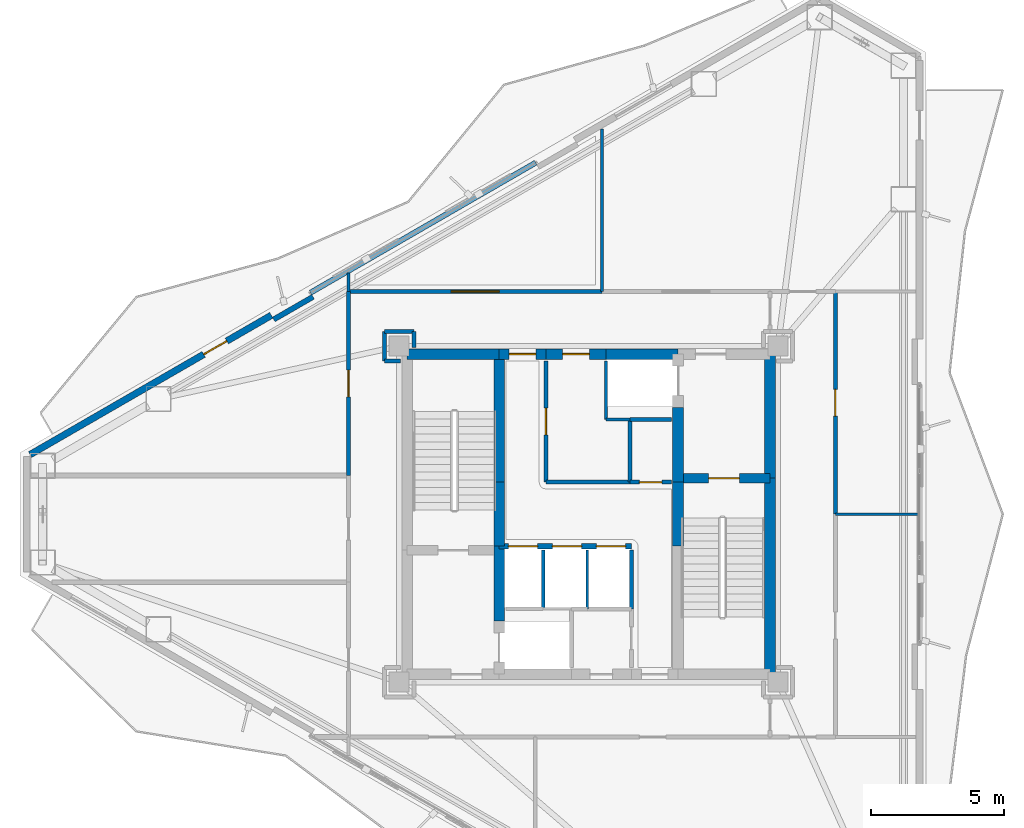
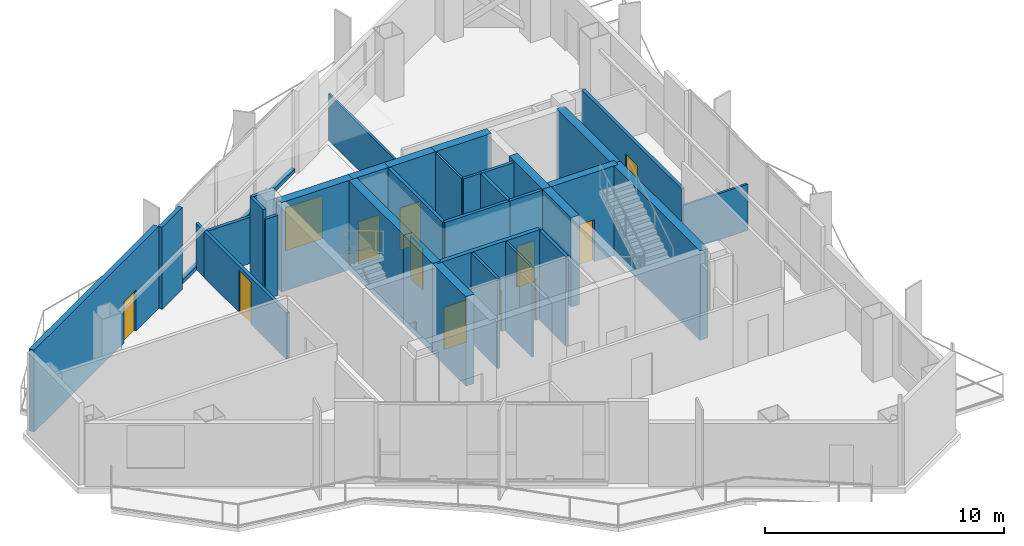
# One storey, part 14 of 18: 36 walls, 12 doors, 12 openings.
"""IFC4 building model written with IfcOpenShell, lengths in metres."""

from ifc_helpers import new_model, si_unit, direction, frame, frame_2d, origin, place, context, subcontext, project, spatial, rectangle, extrude, material, layer, layer_set, type_object, element, fill, save


model = new_model("IFC4")

# Units and contexts
model_context = context("Model", 3, precision=1e-05, world=origin(), true_north=direction((0.0, 1.0)))
body_context = subcontext(model_context, "Body", "Model", "MODEL_VIEW")
ifc_project = project(units=[si_unit("LENGTHUNIT", "METRE"), si_unit("AREAUNIT", "SQUARE_METRE"), si_unit("VOLUMEUNIT", "CUBIC_METRE"), si_unit("PLANEANGLEUNIT", "RADIAN"), si_unit("MASSUNIT", "GRAM", prefix="KILO")], contexts=[model_context])

# Site, building, storey
site_placement = place(None, origin())
site = spatial("IfcSite", under=ifc_project, at=site_placement, CompositionType="ELEMENT")
building_placement = place(site_placement, origin())
building = spatial("IfcBuilding", under=site, at=building_placement, Name="Mersakhor Tower and Convention Hall", CompositionType="ELEMENT")
storey_placement = place(building_placement, frame((0.0, 0.0, 170.699951171875)))
storey = spatial("IfcBuildingStorey", under=building, at=storey_placement, Name="L47", CompositionType="ELEMENT", Elevation=170.699951171875)

# Wall, opening, door
ifc_material_1 = material(Name="Precast concrete C40/50", Category="concrete")
ifc_layer_1 = layer(ifc_material_1, 0.25)
ifc_layer_set_1 = layer_set([ifc_layer_1], Name="Precast concrete C40/50")
wall_type_1 = type_object("IfcWallType", Name="WL-EXT-250", PredefinedType="SOLIDWALL", material=ifc_layer_set_1)
wall_1_placement = place(storey_placement, frame((8.063720703125, 28.985107421875, 0.0), z_axis=(0.0, 0.0, 1.0), x_axis=(0.866027516296, 0.499996341005, 0.0)))
wall_1 = element("IfcWall", 1, at=wall_1_placement, inside=storey, type_object=wall_type_1, Name="L47 Exterior Facade Wall F1-B1", PredefinedType="SOLIDWALL", context=body_context, shape_type="SweptSolid", body=[
    extrude(rectangle(XDim=10.4423828125, YDim=0.25, at=frame_2d((5.22119140625, 0.0))), origin(), (0.0, 0.0, 1.0), 4.18994140625),
])
opening_1_placement = place(wall_1_placement, frame((7.513916015625, 0.0, 0.0)))
opening_1 = element("IfcOpeningElement", 2, at=opening_1_placement, cuts=wall_1, Name="Opening BD-01", PredefinedType="OPENING", context=body_context, shape_type="SweptSolid", body=[
    extrude(rectangle(XDim=1.0, YDim=2.10009765625, at=frame_2d((0.5, 1.050048828125))), frame((0.0, 0.135009765625, 0.0), z_axis=(0.0, -1.0, 0.0), x_axis=(1.0, 0.0, 0.0)), (0.0, 0.0, 1.0), 0.27001953125),
])
ifc_material_2 = material(Name="Thermally broken dark aluminium and safety glass", Category="aluminium")
door_type_1 = type_object("IfcDoorType", Name="DR-BAL-100x210", OperationType="NOTDEFINED", PredefinedType="DOOR", material=ifc_material_2)
door_1_placement = place(opening_1_placement, origin())
door_1 = element("IfcDoor", 3, at=door_1_placement, inside=storey, type_object=door_type_1, Name="L47 Balcony Terrace Door F1-B1", OperationType="SINGLE_SWING_LEFT", OverallHeight=2.10009765625, OverallWidth=1.0, PredefinedType="DOOR", context=body_context, shape_type="SweptSolid", body=[
    extrude(rectangle(XDim=1.0, YDim=2.10009765625, at=frame_2d((0.5, 1.050048828125))), frame((0.0, 0.02490234375, 0.0), z_axis=(0.0, -1.0, 0.0), x_axis=(1.0, 0.0, 0.0)), (0.0, 0.0, 1.0), 0.050048828125),
])
fill(opening_1, door_1)

# Walls
ifc_material_3 = material(Name="Precast concrete C40/50", Category="concrete")
ifc_layer_2 = layer(ifc_material_3, 0.199951171875)
ifc_layer_set_2 = layer_set([ifc_layer_2], Name="Precast concrete C40/50")
wall_type_2 = type_object("IfcWallType", Name="WL-PAR-200", PredefinedType="PARAPET", material=ifc_layer_set_2)
wall_2_placement = place(storey_placement, frame((18.57958984375, 35.056396484375, 0.0), z_axis=(0.0, 0.0, 1.0), x_axis=(0.866026169916, 0.499998673018, 0.0)))
element("IfcWall", 4, at=wall_2_placement, inside=storey, type_object=wall_type_2, Name="L47 Curtain Wall Upstand Sill F1-B2", PredefinedType="PARAPET", context=body_context, shape_type="SweptSolid", body=[
    extrude(rectangle(XDim=9.7421875, YDim=0.199951171875, at=frame_2d((4.87109375, 0.0))), origin(), (0.0, 0.0, 1.0), 0.199951171875),
])
wall_3_placement = place(storey_placement, frame((17.197265625, 34.050537109375, 0.0), z_axis=(0.0, 0.0, 1.0), x_axis=(0.86605165483, 0.499954529098, 0.0)))
element("IfcWall", 5, at=wall_3_placement, inside=storey, type_object=wall_type_2, Name="L47 Column Pier Cladding Wall F1-C1", PredefinedType="PARAPET", context=body_context, shape_type="SweptSolid", body=[
    extrude(rectangle(XDim=1.699951171875, YDim=0.199951171875, at=frame_2d((0.85009765625, 0.0))), origin(), (0.0, 0.0, 1.0), 4.18994140625),
])
ifc_material_4 = material(Name="Lightweight gypsum partition", Category="other")
ifc_layer_3 = layer(ifc_material_4, 0.10009765625)
ifc_layer_set_3 = layer_set([ifc_layer_3], Name="Lightweight gypsum partition")
wall_type_3 = type_object("IfcWallType", Name="WL-PRT-100", PredefinedType="PARTITIONING", material=ifc_layer_set_3)
for number, where, z_axis, x_axis, name in (
    (6, (29.64990234375, 30.300048828125, 0.0), (0.0, 0.0, 1.0), (0.0, 1.0, 0.0), "L47 Interior Partition Wall P-006"),
    (7, (28.949951171875, 25.39990234375, 0.0), (0.0, 0.0, 1.0), (0.0, -1.0, 0.0), "L47 Interior Partition Wall P-008"),
):
    element("IfcWall", number, at=place(storey_placement, frame(where, z_axis=z_axis, x_axis=x_axis)), inside=storey, type_object=wall_type_3, Name=name, PredefinedType="PARTITIONING", context=body_context, shape_type="SweptSolid", body=[
        extrude(rectangle(XDim=2.199951171875, YDim=0.10009765625, at=frame_2d((1.10009765625, 0.0))), origin(), (0.0, 0.0, 1.0), 4.570068359375),
    ])
wall_4_placement = place(storey_placement, frame((41.36181640625, 26.75, 0.0), z_axis=(0.0, 0.0, 1.0), x_axis=(-1.0, 0.0, 0.0)))
element("IfcWall", 8, at=wall_4_placement, inside=storey, type_object=wall_type_3, Name="L47 Interior Partition Wall P-048", PredefinedType="PARTITIONING", context=body_context, shape_type="SweptSolid", body=[
    extrude(rectangle(XDim=3.11181640625, YDim=0.10009765625, at=frame_2d((1.555908203125, 0.0))), origin(), (0.0, 0.0, 1.0), 2.364990234375),
])
wall_5_placement = place(storey_placement, frame((29.5, 41.189208984375, 0.0), z_axis=(0.0, 0.0, 1.0), x_axis=(0.0, -1.0, 0.0)))
element("IfcWall", 9, at=wall_5_placement, inside=storey, type_object=wall_type_3, Name="L47 Interior Partition Wall P-054", PredefinedType="PARTITIONING", context=body_context, shape_type="SweptSolid", body=[
    extrude(rectangle(XDim=6.089111328125, YDim=0.10009765625, at=frame_2d((3.04443359375, 0.0))), origin(), (0.0, 0.0, 1.0), 2.364990234375),
])
ifc_material_5 = material(Name="Gypsum board acoustic partition", Category="other")
ifc_layer_4 = layer(ifc_material_5, 0.125)
ifc_layer_set_4 = layer_set([ifc_layer_4], Name="Gypsum board acoustic partition")
wall_type_4 = type_object("IfcWallType", Name="WL-PRT-125", PredefinedType="PARTITIONING", material=ifc_layer_set_4)
wall_6_placement = place(storey_placement, frame((30.550048828125, 30.300048828125, 0.0), z_axis=(0.0, 0.0, 1.0), x_axis=(-1.0, 0.0, 0.0)))
element("IfcWall", 10, at=wall_6_placement, inside=storey, type_object=wall_type_4, Name="L47 Interior Partition Wall P-005", PredefinedType="PARTITIONING", context=body_context, shape_type="SweptSolid", body=[
    extrude(rectangle(XDim=0.900146484375, YDim=0.125, at=frame_2d((0.4501953125, 0.0))), origin(), (0.0, 0.0, 1.0), 4.570068359375),
])
wall_7_placement = place(storey_placement, frame((27.300048828125, 25.39990234375, 0.0), z_axis=(0.0, 0.0, 1.0), x_axis=(0.0, -1.0, 0.0)))
element("IfcWall", 11, at=wall_7_placement, inside=storey, type_object=wall_type_4, Name="L47 Interior Partition Wall P-007", PredefinedType="PARTITIONING", context=body_context, shape_type="SweptSolid", body=[
    extrude(rectangle(XDim=2.199951171875, YDim=0.125, at=frame_2d((1.10009765625, 0.0))), origin(), (0.0, 0.0, 1.0), 4.570068359375),
])
wall_8_placement = place(storey_placement, frame((20.0, 35.10009765625, 0.0), z_axis=(0.0, 0.0, 1.0), x_axis=(0.0, 1.0, 0.0)))
element("IfcWall", 12, at=wall_8_placement, inside=storey, type_object=wall_type_4, Name="L47 Interior Partition Wall P-053", PredefinedType="PARTITIONING", context=body_context, shape_type="SweptSolid", body=[
    extrude(rectangle(XDim=0.697998046875, YDim=0.125, at=frame_2d((0.34912109375, 0.0))), origin(), (0.0, 0.0, 1.0), 2.364990234375),
])
ifc_material_6 = material(Name="Fire-rated gypsum board stud partition", Category="other")
ifc_layer_5 = layer(ifc_material_6, 0.14990234375)
ifc_layer_set_5 = layer_set([ifc_layer_5], Name="Fire-rated gypsum board stud partition")
wall_type_5 = type_object("IfcWallType", Name="WL-PRT-150", PredefinedType="PARTITIONING", material=ifc_layer_set_5)
wall_9_placement = place(storey_placement, frame((32.10009765625, 30.300048828125, 0.0), z_axis=(0.0, 0.0, 1.0), x_axis=(-1.0, 0.0, 0.0)))
element("IfcWall", 13, at=wall_9_placement, inside=storey, type_object=wall_type_5, Name="L47 Interior Partition Wall P-004", PredefinedType="PARTITIONING", context=body_context, shape_type="SweptSolid", body=[
    extrude(rectangle(XDim=1.550048828125, YDim=0.14990234375, at=frame_2d((0.77490234375, 0.0))), origin(), (0.0, 0.0, 1.0), 4.570068359375),
])
wall_10_placement = place(storey_placement, frame((30.60009765625, 25.39990234375, 0.0), z_axis=(0.0, 0.0, 1.0), x_axis=(0.0, -1.0, 0.0)))
element("IfcWall", 14, at=wall_10_placement, inside=storey, type_object=wall_type_5, Name="L47 Interior Partition Wall P-010", PredefinedType="PARTITIONING", context=body_context, shape_type="SweptSolid", body=[
    extrude(rectangle(XDim=2.199951171875, YDim=0.14990234375, at=frame_2d((1.10009765625, 0.0))), origin(), (0.0, 0.0, 1.0), 4.570068359375),
])

# Wall, opening, door
wall_11_placement = place(storey_placement, frame((27.39990234375, 32.5, 0.0), z_axis=(0.0, 0.0, 1.0), x_axis=(0.0, -1.0, 0.0)))
wall_11 = element("IfcWall", 15, at=wall_11_placement, inside=storey, type_object=wall_type_5, Name="L47 Interior Partition Wall P-013", PredefinedType="PARTITIONING", context=body_context, shape_type="SweptSolid", body=[
    extrude(rectangle(XDim=4.550048828125, YDim=0.14990234375, at=frame_2d((2.27490234375, 0.0))), origin(), (0.0, 0.0, 1.0), 4.570068359375),
])
opening_2_placement = place(wall_11_placement, frame((1.77490234375, 0.0, 0.0)))
opening_2 = element("IfcOpeningElement", 16, at=opening_2_placement, cuts=wall_11, Name="Opening FD-01", PredefinedType="OPENING", context=body_context, shape_type="SweptSolid", body=[
    extrude(rectangle(XDim=1.0, YDim=2.14990234375, at=frame_2d((0.5, 1.074951171875))), frame((0.0, 0.0849609375, 0.0), z_axis=(0.0, -1.0, 0.0), x_axis=(1.0, 0.0, 0.0)), (0.0, 0.0, 1.0), 0.169921875),
])
ifc_material_7 = material(Name="Fire-rated hardwood leaf and painted steel frame", Category="steel")
door_type_2 = type_object("IfcDoorType", Name="DR-INT-FLT-100x215", OperationType="NOTDEFINED", PredefinedType="DOOR", material=ifc_material_7)
door_2_placement = place(opening_2_placement, origin())
door_2 = element("IfcDoor", 17, at=door_2_placement, inside=storey, type_object=door_type_2, Name="L47 Central Passenger Lift Lobby to Quiet Core Study Room Door", OperationType="SINGLE_SWING_RIGHT", OverallHeight=2.14990234375, OverallWidth=1.0, PredefinedType="DOOR", context=body_context, shape_type="SweptSolid", body=[
    extrude(rectangle(XDim=1.0, YDim=2.14990234375, at=frame_2d((0.5, 1.074951171875))), frame((0.0, 0.02490234375, 0.0), z_axis=(0.0, -1.0, 0.0), x_axis=(1.0, 0.0, 0.0)), (0.0, 0.0, 1.0), 0.050048828125),
])
fill(opening_2, door_2)

# Wall
wall_12_placement = place(storey_placement, frame((27.39990234375, 27.949951171875, 0.0), z_axis=(0.0, 0.0, 1.0), x_axis=(1.0, 0.0, 0.0)))
element("IfcWall", 18, at=wall_12_placement, inside=storey, type_object=wall_type_5, Name="L47 Interior Partition Wall P-014", PredefinedType="PARTITIONING", context=body_context, shape_type="SweptSolid", body=[
    extrude(rectangle(XDim=3.150146484375, YDim=0.14990234375, at=frame_2d((1.5751953125, 0.0))), origin(), (0.0, 0.0, 1.0), 4.570068359375),
])

# Wall, opening, door
wall_13_placement = place(storey_placement, frame((30.550048828125, 27.949951171875, 0.0), z_axis=(0.0, 0.0, 1.0), x_axis=(1.0, 0.0, 0.0)))
wall_13 = element("IfcWall", 19, at=wall_13_placement, inside=storey, type_object=wall_type_5, Name="L47 Interior Partition Wall P-015", PredefinedType="PARTITIONING", context=body_context, shape_type="SweptSolid", body=[
    extrude(rectangle(XDim=1.550048828125, YDim=0.14990234375, at=frame_2d((0.77490234375, 0.0))), origin(), (0.0, 0.0, 1.0), 4.570068359375),
])
opening_3_placement = place(wall_13_placement, frame((0.35009765625, 0.0, 0.0)))
opening_3 = element("IfcOpeningElement", 20, at=opening_3_placement, cuts=wall_13, Name="Opening SVD-01", PredefinedType="OPENING", context=body_context, shape_type="SweptSolid", body=[
    extrude(rectangle(XDim=0.85009765625, YDim=2.10009765625, at=frame_2d((0.425048828125, 1.050048828125))), frame((0.0, 0.0849609375, 0.0), z_axis=(0.0, -1.0, 0.0), x_axis=(1.0, 0.0, 0.0)), (0.0, 0.0, 1.0), 0.169921875),
])
ifc_material_8 = material(Name="Fire-rated hardwood leaf and painted steel frame", Category="steel")
door_type_3 = type_object("IfcDoorType", Name="DR-INT-SVC-085x210", OperationType="NOTDEFINED", PredefinedType="DOOR", material=ifc_material_8)
door_3_placement = place(opening_3_placement, origin())
door_3 = element("IfcDoor", 21, at=door_3_placement, inside=storey, type_object=door_type_3, Name="L47 Central Passenger Lift Lobby to Housekeeping Linen Store Room Door", OperationType="SINGLE_SWING_LEFT", OverallHeight=2.10009765625, OverallWidth=0.85009765625, PredefinedType="DOOR", context=body_context, shape_type="SweptSolid", body=[
    extrude(rectangle(XDim=0.85009765625, YDim=2.10009765625, at=frame_2d((0.425048828125, 1.050048828125))), frame((0.0, 0.02490234375, 0.0), z_axis=(0.0, -1.0, 0.0), x_axis=(1.0, 0.0, 0.0)), (0.0, 0.0, 1.0), 0.050048828125),
])
fill(opening_3, door_3)

wall_14_placement = place(storey_placement, frame((20.0, 28.199951171875, 0.0), z_axis=(0.0, 0.0, 1.0), x_axis=(0.0, 1.0, 0.0)))
wall_14 = element("IfcWall", 22, at=wall_14_placement, inside=storey, type_object=wall_type_5, Name="L47 Interior Partition Wall P-025", PredefinedType="PARTITIONING", context=body_context, shape_type="SweptSolid", body=[
    extrude(rectangle(XDim=6.900146484375, YDim=0.14990234375, at=frame_2d((3.4501953125, 0.0))), origin(), (0.0, 0.0, 1.0), 2.364990234375),
])
opening_4_placement = place(wall_14_placement, frame((2.949951171875, 0.0, 0.0)))
opening_4 = element("IfcOpeningElement", 23, at=opening_4_placement, cuts=wall_14, Name="Opening FD-01", PredefinedType="OPENING", context=body_context, shape_type="SweptSolid", body=[
    extrude(rectangle(XDim=1.0, YDim=2.14990234375, at=frame_2d((0.5, 1.074951171875))), frame((0.0, 0.0849609375, 0.0), z_axis=(0.0, -1.0, 0.0), x_axis=(1.0, 0.0, 0.0)), (0.0, 0.0, 1.0), 0.169921875),
])
door_4_placement = place(opening_4_placement, origin())
door_4 = element("IfcDoor", 24, at=door_4_placement, inside=storey, type_object=door_type_2, Name="L47 L47 Sky-Lobby Corridor to West Horizon Sitting Lounge Door", OperationType="SINGLE_SWING_LEFT", OverallHeight=2.14990234375, OverallWidth=1.0, PredefinedType="DOOR", context=body_context, shape_type="SweptSolid", body=[
    extrude(rectangle(XDim=1.0, YDim=2.14990234375, at=frame_2d((0.5, 1.074951171875))), frame((0.0, 0.02490234375, 0.0), z_axis=(0.0, -1.0, 0.0), x_axis=(1.0, 0.0, 0.0)), (0.0, 0.0, 1.0), 0.050048828125),
])
fill(opening_4, door_4)

wall_15_placement = place(storey_placement, frame((20.0, 35.10009765625, 0.0), z_axis=(0.0, 0.0, 1.0), x_axis=(1.0, 0.0, 0.0)))
wall_15 = element("IfcWall", 25, at=wall_15_placement, inside=storey, type_object=wall_type_5, Name="L47 Interior Partition Wall P-026", PredefinedType="PARTITIONING", context=body_context, shape_type="SweptSolid", body=[
    extrude(rectangle(XDim=9.5, YDim=0.14990234375, at=frame_2d((4.75, 0.0))), origin(), (0.0, 0.0, 1.0), 2.364990234375),
])
opening_5_placement = place(wall_15_placement, frame((3.85009765625, 0.0, 0.0)))
opening_5 = element("IfcOpeningElement", 26, at=opening_5_placement, cuts=wall_15, Name="Opening HD-01", PredefinedType="OPENING", context=body_context, shape_type="SweptSolid", body=[
    extrude(rectangle(XDim=1.800048828125, YDim=2.199951171875, at=frame_2d((0.89990234375, 1.10009765625))), frame((0.0, 0.0849609375, 0.0), z_axis=(0.0, -1.0, 0.0), x_axis=(1.0, 0.0, 0.0)), (0.0, 0.0, 1.0), 0.169921875),
])
ifc_material_9 = material(Name="Fire-rated hardwood leaf and painted steel frame", Category="steel")
door_type_4 = type_object("IfcDoorType", Name="DR-INT-HALL-180x220", OperationType="NOTDEFINED", PredefinedType="DOOR", material=ifc_material_9)
door_5_placement = place(opening_5_placement, origin())
door_5 = element("IfcDoor", 27, at=door_5_placement, inside=storey, type_object=door_type_4, Name="L47 L47 Sky-Lobby Corridor to Zone 3 Community Assembly Hall Door", OperationType="DOUBLE_DOOR_SINGLE_SWING", OverallHeight=2.199951171875, OverallWidth=1.800048828125, PredefinedType="DOOR", context=body_context, shape_type="SweptSolid", body=[
    extrude(rectangle(XDim=1.800048828125, YDim=2.199951171875, at=frame_2d((0.89990234375, 1.10009765625))), frame((0.0, 0.02490234375, 0.0), z_axis=(0.0, -1.0, 0.0), x_axis=(1.0, 0.0, 0.0)), (0.0, 0.0, 1.0), 0.050048828125),
])
fill(opening_5, door_5)

# Walls
wall_16_placement = place(storey_placement, frame((22.449951171875, 33.0, 0.0), z_axis=(0.0, 0.0, 1.0), x_axis=(0.0, 1.0, 0.0)))
element("IfcWall", 28, at=wall_16_placement, inside=storey, type_object=wall_type_5, Name="L47 Interior Partition Wall P-031", PredefinedType="PARTITIONING", context=body_context, shape_type="SweptSolid", body=[
    extrude(rectangle(XDim=0.60009765625, YDim=0.14990234375, at=frame_2d((0.300048828125, 0.0))), origin(), (0.0, 0.0, 1.0), 4.094970703125),
])
wall_17_placement = place(storey_placement, frame((22.449951171875, 33.60009765625, 0.0), z_axis=(0.0, 0.0, 1.0), x_axis=(-1.0, 0.0, 0.0)))
element("IfcWall", 29, at=wall_17_placement, inside=storey, type_object=wall_type_5, Name="L47 Interior Partition Wall P-032", PredefinedType="PARTITIONING", context=body_context, shape_type="SweptSolid", body=[
    extrude(rectangle(XDim=1.099853515625, YDim=0.14990234375, at=frame_2d((0.5498046875, 0.0))), origin(), (0.0, 0.0, 1.0), 4.570068359375),
])
wall_18_placement = place(storey_placement, frame((21.35009765625, 33.60009765625, 0.0), z_axis=(0.0, 0.0, 1.0), x_axis=(0.0, -1.0, 0.0)))
element("IfcWall", 30, at=wall_18_placement, inside=storey, type_object=wall_type_5, Name="L47 Interior Partition Wall P-033", PredefinedType="PARTITIONING", context=body_context, shape_type="SweptSolid", body=[
    extrude(rectangle(XDim=1.10009765625, YDim=0.14990234375, at=frame_2d((0.550048828125, 0.0))), origin(), (0.0, 0.0, 1.0), 4.570068359375),
])
wall_19_placement = place(storey_placement, frame((21.35009765625, 32.5, 0.0), z_axis=(0.0, 0.0, 1.0), x_axis=(1.0, 0.0, 0.0)))
element("IfcWall", 31, at=wall_19_placement, inside=storey, type_object=wall_type_5, Name="L47 Interior Partition Wall P-034", PredefinedType="PARTITIONING", context=body_context, shape_type="SweptSolid", body=[
    extrude(rectangle(XDim=0.599853515625, YDim=0.14990234375, at=frame_2d((0.2998046875, 0.0))), origin(), (0.0, 0.0, 1.0), 4.094970703125),
])

# Wall, opening, door
wall_20_placement = place(storey_placement, frame((38.25, 35.10009765625, 0.0), z_axis=(0.0, 0.0, 1.0), x_axis=(0.0, -1.0, 0.0)))
wall_20 = element("IfcWall", 32, at=wall_20_placement, inside=storey, type_object=wall_type_5, Name="L47 Interior Partition Wall P-042", PredefinedType="PARTITIONING", context=body_context, shape_type="SweptSolid", body=[
    extrude(rectangle(XDim=8.35009765625, YDim=0.14990234375, at=frame_2d((4.175048828125, 0.0))), origin(), (0.0, 0.0, 1.0), 3.205078125),
])
opening_6_placement = place(wall_20_placement, frame((3.675048828125, 0.0, 0.0)))
opening_6 = element("IfcOpeningElement", 33, at=opening_6_placement, cuts=wall_20, Name="Opening FD-01", PredefinedType="OPENING", context=body_context, shape_type="SweptSolid", body=[
    extrude(rectangle(XDim=1.0, YDim=2.14990234375, at=frame_2d((0.5, 1.074951171875))), frame((0.0, 0.0849609375, 0.0), z_axis=(0.0, -1.0, 0.0), x_axis=(1.0, 0.0, 0.0)), (0.0, 0.0, 1.0), 0.169921875),
])
door_6_placement = place(opening_6_placement, origin())
door_6 = element("IfcDoor", 34, at=door_6_placement, inside=storey, type_object=door_type_2, Name="L47 L47 Sky-Lobby East Corridor to Community Catering Kitchen Door", OperationType="SINGLE_SWING_RIGHT", OverallHeight=2.14990234375, OverallWidth=1.0, PredefinedType="DOOR", context=body_context, shape_type="SweptSolid", body=[
    extrude(rectangle(XDim=1.0, YDim=2.14990234375, at=frame_2d((0.5, 1.074951171875))), frame((0.0, 0.02490234375, 0.0), z_axis=(0.0, -1.0, 0.0), x_axis=(1.0, 0.0, 0.0)), (0.0, 0.0, 1.0), 0.050048828125),
])
fill(opening_6, door_6)

# Wall
wall_21_placement = place(storey_placement, frame((30.550048828125, 30.300048828125, 0.0), z_axis=(0.0, 0.0, 1.0), x_axis=(0.0, -1.0, 0.0)))
element("IfcWall", 35, at=wall_21_placement, inside=storey, type_object=wall_type_5, Name="L47 Interior Partition Wall P-052", PredefinedType="PARTITIONING", context=body_context, shape_type="SweptSolid", body=[
    extrude(rectangle(XDim=2.35009765625, YDim=0.14990234375, at=frame_2d((1.175048828125, 0.0))), origin(), (0.0, 0.0, 1.0), 4.570068359375),
])

# Wall, openings, doors
ifc_material_10 = material(Name="Acoustic concrete blockwork and gypsum board", Category="masonry")
ifc_layer_6 = layer(ifc_material_10, 0.199951171875)
ifc_layer_set_6 = layer_set([ifc_layer_6], Name="Acoustic concrete blockwork and gypsum board")
wall_type_6 = type_object("IfcWallType", Name="WL-PRT-200", PredefinedType="PARTITIONING", material=ifc_layer_set_6)
wall_22_placement = place(storey_placement, frame((25.64990234375, 25.550048828125, 0.0), z_axis=(0.0, 0.0, 1.0), x_axis=(1.0, 0.0, 0.0)))
wall_22 = element("IfcWall", 36, at=wall_22_placement, inside=storey, type_object=wall_type_6, Name="L47 High-Rise Lift Bank Front Wall", PredefinedType="PARTITIONING", context=body_context, shape_type="SweptSolid", body=[
    extrude(rectangle(XDim=4.9501953125, YDim=0.199951171875, at=frame_2d((2.47509765625, 0.0))), origin(), (0.0, 0.0, 1.0), 4.570068359375),
])
opening_7_placement = place(wall_22_placement, frame((0.340087890625, 0.0, 0.0)))
opening_7 = element("IfcOpeningElement", 37, at=opening_7_placement, cuts=wall_22, Name="Opening LD-P4", PredefinedType="OPENING", context=body_context, shape_type="SweptSolid", body=[
    extrude(rectangle(XDim=1.10009765625, YDim=2.14990234375, at=frame_2d((0.550048828125, 1.074951171875))), frame((0.0, 0.10986328125, 0.0), z_axis=(0.0, -1.0, 0.0), x_axis=(1.0, 0.0, 0.0)), (0.0, 0.0, 1.0), 0.219970703125),
])
opening_8_placement = place(wall_22_placement, frame((1.989990234375, 0.0, 0.0)))
opening_8 = element("IfcOpeningElement", 38, at=opening_8_placement, cuts=wall_22, Name="Opening LD-P5", PredefinedType="OPENING", context=body_context, shape_type="SweptSolid", body=[
    extrude(rectangle(XDim=1.10009765625, YDim=2.14990234375, at=frame_2d((0.550048828125, 1.074951171875))), frame((0.0, 0.10986328125, 0.0), z_axis=(0.0, -1.0, 0.0), x_axis=(1.0, 0.0, 0.0)), (0.0, 0.0, 1.0), 0.219970703125),
])
opening_9_placement = place(wall_22_placement, frame((3.639892578125, 0.0, 0.0)))
opening_9 = element("IfcOpeningElement", 39, at=opening_9_placement, cuts=wall_22, Name="Opening LD-P6", PredefinedType="OPENING", context=body_context, shape_type="SweptSolid", body=[
    extrude(rectangle(XDim=1.10009765625, YDim=2.14990234375, at=frame_2d((0.550048828125, 1.074951171875))), frame((0.0, 0.10986328125, 0.0), z_axis=(0.0, -1.0, 0.0), x_axis=(1.0, 0.0, 0.0)), (0.0, 0.0, 1.0), 0.219970703125),
])
ifc_material_11 = material(Name="Fire-rated brushed stainless steel sliding landing door", Category="steel")
door_type_5 = type_object("IfcDoorType", Name="DR-LIFT-SLD-110x215", OperationType="NOTDEFINED", PredefinedType="DOOR", material=ifc_material_11)
door_7_placement = place(opening_7_placement, origin())
door_7 = element("IfcDoor", 40, at=door_7_placement, inside=storey, type_object=door_type_5, Name="L47 Lift Landing Door LD-P4", OperationType="SLIDING_TO_LEFT", OverallHeight=2.14990234375, OverallWidth=1.10009765625, PredefinedType="DOOR", context=body_context, shape_type="SweptSolid", body=[
    extrude(rectangle(XDim=1.10009765625, YDim=2.14990234375, at=frame_2d((0.550048828125, 1.074951171875))), frame((0.0, 0.02490234375, 0.0), z_axis=(0.0, -1.0, 0.0), x_axis=(1.0, 0.0, 0.0)), (0.0, 0.0, 1.0), 0.050048828125),
])
fill(opening_7, door_7)
door_8_placement = place(opening_8_placement, origin())
door_8 = element("IfcDoor", 41, at=door_8_placement, inside=storey, type_object=door_type_5, Name="L47 Lift Landing Door LD-P5", OperationType="SLIDING_TO_LEFT", OverallHeight=2.14990234375, OverallWidth=1.10009765625, PredefinedType="DOOR", context=body_context, shape_type="SweptSolid", body=[
    extrude(rectangle(XDim=1.10009765625, YDim=2.14990234375, at=frame_2d((0.550048828125, 1.074951171875))), frame((0.0, 0.02490234375, 0.0), z_axis=(0.0, -1.0, 0.0), x_axis=(1.0, 0.0, 0.0)), (0.0, 0.0, 1.0), 0.050048828125),
])
fill(opening_8, door_8)
door_9_placement = place(opening_9_placement, origin())
door_9 = element("IfcDoor", 42, at=door_9_placement, inside=storey, type_object=door_type_5, Name="L47 Lift Landing Door LD-P6", OperationType="SLIDING_TO_LEFT", OverallHeight=2.14990234375, OverallWidth=1.10009765625, PredefinedType="DOOR", context=body_context, shape_type="SweptSolid", body=[
    extrude(rectangle(XDim=1.10009765625, YDim=2.14990234375, at=frame_2d((0.550048828125, 1.074951171875))), frame((0.0, 0.02490234375, 0.0), z_axis=(0.0, -1.0, 0.0), x_axis=(1.0, 0.0, 0.0)), (0.0, 0.0, 1.0), 0.050048828125),
])
fill(opening_9, door_9)

# Wall, opening, door
ifc_material_12 = material(Name="Concrete C50/60", Category="concrete")
ifc_layer_7 = layer(ifc_material_12, 0.35009765625)
ifc_layer_set_7 = layer_set([ifc_layer_7], Name="Concrete C50/60")
wall_type_7 = type_object("IfcWallType", Name="WL-SHR-350", PredefinedType="SHEAR", material=ifc_layer_set_7)
wall_23_placement = place(storey_placement, frame((32.35009765625, 28.10009765625, 0.0), z_axis=(0.0, 0.0, 1.0), x_axis=(1.0, 0.0, 0.0)))
wall_23 = element("IfcWall", 43, at=wall_23_placement, inside=storey, type_object=wall_type_7, Name="L47 Core Wall CS-ST2-N", PredefinedType="SHEAR", context=body_context, shape_type="SweptSolid", body=[
    extrude(rectangle(XDim=3.449951171875, YDim=0.35009765625, at=frame_2d((1.72509765625, 0.0))), origin(), (0.0, 0.0, 1.0), 4.570068359375),
])
opening_10_placement = place(wall_23_placement, frame((1.14990234375, 0.0, 0.0)))
opening_10 = element("IfcOpeningElement", 44, at=opening_10_placement, cuts=wall_23, Name="Opening SD-01", PredefinedType="OPENING", context=body_context, shape_type="SweptSolid", body=[
    extrude(rectangle(XDim=1.14990234375, YDim=2.14990234375, at=frame_2d((0.574951171875, 1.074951171875))), frame((0.0, 0.18505859375, 0.0), z_axis=(0.0, -1.0, 0.0), x_axis=(1.0, 0.0, 0.0)), (0.0, 0.0, 1.0), 0.3701171875),
])
ifc_material_13 = material(Name="Fire-rated hardwood leaf and painted steel frame", Category="steel")
door_type_6 = type_object("IfcDoorType", Name="DR-INT-STAIR-115x215", OperationType="NOTDEFINED", PredefinedType="DOOR", material=ifc_material_13)
door_10_placement = place(opening_10_placement, origin())
door_10 = element("IfcDoor", 45, at=door_10_placement, inside=storey, type_object=door_type_6, Name="L47 Exit Stair ST-2 Enclosure Door", OperationType="SINGLE_SWING_RIGHT", OverallHeight=2.14990234375, OverallWidth=1.14990234375, PredefinedType="DOOR", context=body_context, shape_type="SweptSolid", body=[
    extrude(rectangle(XDim=1.14990234375, YDim=2.14990234375, at=frame_2d((0.574951171875, 1.074951171875))), frame((0.0, 0.02490234375, 0.0), z_axis=(0.0, -1.0, 0.0), x_axis=(1.0, 0.0, 0.0)), (0.0, 0.0, 1.0), 0.050048828125),
])
fill(opening_10, door_10)

# Wall
ifc_material_14 = material(Name="Concrete C60/75", Category="concrete")
ifc_layer_8 = layer(ifc_material_14, 0.39990234375)
ifc_layer_set_8 = layer_set([ifc_layer_8], Name="Concrete C60/75")
wall_type_8 = type_object("IfcWallType", Name="WL-SHR-400", PredefinedType="SHEAR", material=ifc_layer_set_8)
wall_24_placement = place(storey_placement, frame((22.199951171875, 32.75, 0.0), z_axis=(0.0, 0.0, 1.0), x_axis=(1.0, 0.0, 0.0)))
element("IfcWall", 46, at=wall_24_placement, inside=storey, type_object=wall_type_8, Name="L47 Core Wall CW-N1", PredefinedType="SHEAR", context=body_context, shape_type="SweptSolid", body=[
    extrude(rectangle(XDim=3.449951171875, YDim=0.39990234375, at=frame_2d((1.72509765625, 0.0))), origin(), (0.0, 0.0, 1.0), 4.570068359375),
])

# Wall, opening, door
wall_25_placement = place(storey_placement, frame((25.64990234375, 32.75, 0.0), z_axis=(0.0, 0.0, 1.0), x_axis=(1.0, 0.0, 0.0)))
wall_25 = element("IfcWall", 47, at=wall_25_placement, inside=storey, type_object=wall_type_8, Name="L47 Core Wall CW-N2A", PredefinedType="SHEAR", context=body_context, shape_type="SweptSolid", body=[
    extrude(rectangle(XDim=1.75, YDim=0.39990234375, at=frame_2d((0.875, 0.0))), origin(), (0.0, 0.0, 1.0), 4.570068359375),
])
opening_11_placement = place(wall_25_placement, frame((0.375, 0.0, 0.0)))
opening_11 = element("IfcOpeningElement", 48, at=opening_11_placement, cuts=wall_25, Name="Opening CFD-01", PredefinedType="OPENING", context=body_context, shape_type="SweptSolid", body=[
    extrude(rectangle(XDim=1.0, YDim=2.14990234375, at=frame_2d((0.5, 1.074951171875))), frame((0.0, 0.2099609375, 0.0), z_axis=(0.0, -1.0, 0.0), x_axis=(1.0, 0.0, 0.0)), (0.0, 0.0, 1.0), 0.419921875),
])
ifc_material_15 = material(Name="Fire-rated hardwood leaf and painted steel frame", Category="steel")
door_type_7 = type_object("IfcDoorType", Name="DR-CORE-FD-100x215", OperationType="NOTDEFINED", PredefinedType="DOOR", material=ifc_material_15)
door_11_placement = place(opening_11_placement, origin())
door_11 = element("IfcDoor", 49, at=door_11_placement, inside=storey, type_object=door_type_7, Name="L47 Lift Lobby North Corridor Door", OperationType="SINGLE_SWING_LEFT", OverallHeight=2.14990234375, OverallWidth=1.0, PredefinedType="DOOR", context=body_context, shape_type="SweptSolid", body=[
    extrude(rectangle(XDim=1.0, YDim=2.14990234375, at=frame_2d((0.5, 1.074951171875))), frame((0.0, 0.02490234375, 0.0), z_axis=(0.0, -1.0, 0.0), x_axis=(1.0, 0.0, 0.0)), (0.0, 0.0, 1.0), 0.050048828125),
])
fill(opening_11, door_11)

wall_26_placement = place(storey_placement, frame((27.39990234375, 32.75, 0.0), z_axis=(0.0, 0.0, 1.0), x_axis=(1.0, 0.0, 0.0)))
wall_26 = element("IfcWall", 50, at=wall_26_placement, inside=storey, type_object=wall_type_8, Name="L47 Core Wall CW-N2B", PredefinedType="SHEAR", context=body_context, shape_type="SweptSolid", body=[
    extrude(rectangle(XDim=2.25, YDim=0.39990234375, at=frame_2d((1.125, 0.0))), origin(), (0.0, 0.0, 1.0), 4.570068359375),
])
opening_12_placement = place(wall_26_placement, frame((0.625, 0.0, 0.0)))
opening_12 = element("IfcOpeningElement", 51, at=opening_12_placement, cuts=wall_26, Name="Opening FD-01", PredefinedType="OPENING", context=body_context, shape_type="SweptSolid", body=[
    extrude(rectangle(XDim=1.0, YDim=2.14990234375, at=frame_2d((0.5, 1.074951171875))), frame((0.0, 0.2099609375, 0.0), z_axis=(0.0, -1.0, 0.0), x_axis=(1.0, 0.0, 0.0)), (0.0, 0.0, 1.0), 0.419921875),
])
door_12_placement = place(opening_12_placement, origin())
door_12 = element("IfcDoor", 52, at=door_12_placement, inside=storey, type_object=door_type_2, Name="L47 L47 Sky-Lobby Corridor to Quiet Core Study Room Door", OperationType="SINGLE_SWING_LEFT", OverallHeight=2.14990234375, OverallWidth=1.0, PredefinedType="DOOR", context=body_context, shape_type="SweptSolid", body=[
    extrude(rectangle(XDim=1.0, YDim=2.14990234375, at=frame_2d((0.5, 1.074951171875))), frame((0.0, 0.02490234375, 0.0), z_axis=(0.0, -1.0, 0.0), x_axis=(1.0, 0.0, 0.0)), (0.0, 0.0, 1.0), 0.050048828125),
])
fill(opening_12, door_12)

# Walls
wall_27_placement = place(storey_placement, frame((29.64990234375, 32.75, 0.0), z_axis=(0.0, 0.0, 1.0), x_axis=(1.0, 0.0, 0.0)))
element("IfcWall", 53, at=wall_27_placement, inside=storey, type_object=wall_type_8, Name="L47 Core Wall CW-N3", PredefinedType="SHEAR", context=body_context, shape_type="SweptSolid", body=[
    extrude(rectangle(XDim=2.7001953125, YDim=0.39990234375, at=frame_2d((1.35009765625, 0.0))), origin(), (0.0, 0.0, 1.0), 4.570068359375),
])
wall_28_placement = place(storey_placement, frame((35.800048828125, 32.75, 0.0), z_axis=(0.0, 0.0, 1.0), x_axis=(0.0, -1.0, 0.0)))
element("IfcWall", 54, at=wall_28_placement, inside=storey, type_object=wall_type_8, Name="L47 Core Wall CW-E1", PredefinedType="SHEAR", context=body_context, shape_type="SweptSolid", body=[
    extrude(rectangle(XDim=4.64990234375, YDim=0.39990234375, at=frame_2d((2.324951171875, 0.0))), origin(), (0.0, 0.0, 1.0), 4.570068359375),
])
wall_29_placement = place(storey_placement, frame((35.800048828125, 28.10009765625, 0.0), z_axis=(0.0, 0.0, 1.0), x_axis=(0.0, -1.0, 0.0)))
element("IfcWall", 55, at=wall_29_placement, inside=storey, type_object=wall_type_8, Name="L47 Core Wall CW-E2", PredefinedType="SHEAR", context=body_context, shape_type="SweptSolid", body=[
    extrude(rectangle(XDim=7.35009765625, YDim=0.39990234375, at=frame_2d((3.675048828125, 0.0))), origin(), (0.0, 0.0, 1.0), 4.570068359375),
])
wall_30_placement = place(storey_placement, frame((25.64990234375, 22.75, 0.0), z_axis=(0.0, 0.0, 1.0), x_axis=(0.0, 1.0, 0.0)))
element("IfcWall", 56, at=wall_30_placement, inside=storey, type_object=wall_type_8, Name="L47 Core Wall CS-W-MID", PredefinedType="SHEAR", context=body_context, shape_type="SweptSolid", body=[
    extrude(rectangle(XDim=2.800048828125, YDim=0.39990234375, at=frame_2d((1.39990234375, 0.0))), origin(), (0.0, 0.0, 1.0), 4.570068359375),
])
wall_31_placement = place(storey_placement, frame((25.64990234375, 25.550048828125, 0.0), z_axis=(0.0, 0.0, 1.0), x_axis=(0.0, 1.0, 0.0)))
element("IfcWall", 57, at=wall_31_placement, inside=storey, type_object=wall_type_8, Name="L47 Core Wall CS-W-LOB", PredefinedType="SHEAR", context=body_context, shape_type="SweptSolid", body=[
    extrude(rectangle(XDim=2.39990234375, YDim=0.39990234375, at=frame_2d((1.199951171875, 0.0))), origin(), (0.0, 0.0, 1.0), 4.570068359375),
])
wall_32_placement = place(storey_placement, frame((25.64990234375, 27.949951171875, 0.0), z_axis=(0.0, 0.0, 1.0), x_axis=(0.0, 1.0, 0.0)))
element("IfcWall", 58, at=wall_32_placement, inside=storey, type_object=wall_type_8, Name="L47 Core Wall CS-W-ST1", PredefinedType="SHEAR", context=body_context, shape_type="SweptSolid", body=[
    extrude(rectangle(XDim=4.800048828125, YDim=0.39990234375, at=frame_2d((2.39990234375, 0.0))), origin(), (0.0, 0.0, 1.0), 4.570068359375),
])
wall_33_placement = place(storey_placement, frame((32.35009765625, 25.550048828125, 0.0), z_axis=(0.0, 0.0, 1.0), x_axis=(0.0, 1.0, 0.0)))
element("IfcWall", 59, at=wall_33_placement, inside=storey, type_object=wall_type_8, Name="L47 Core Wall CS-E-LOB", PredefinedType="SHEAR", context=body_context, shape_type="SweptSolid", body=[
    extrude(rectangle(XDim=2.39990234375, YDim=0.39990234375, at=frame_2d((1.199951171875, 0.0))), origin(), (0.0, 0.0, 1.0), 4.570068359375),
])
wall_34_placement = place(storey_placement, frame((32.35009765625, 27.949951171875, 0.0), z_axis=(0.0, 0.0, 1.0), x_axis=(0.0, 1.0, 0.0)))
element("IfcWall", 60, at=wall_34_placement, inside=storey, type_object=wall_type_8, Name="L47 Core Wall CS-E-MID", PredefinedType="SHEAR", context=body_context, shape_type="SweptSolid", body=[
    extrude(rectangle(XDim=2.800048828125, YDim=0.39990234375, at=frame_2d((1.39990234375, 0.0))), origin(), (0.0, 0.0, 1.0), 4.570068359375),
])

save(model, "model.ifc")
